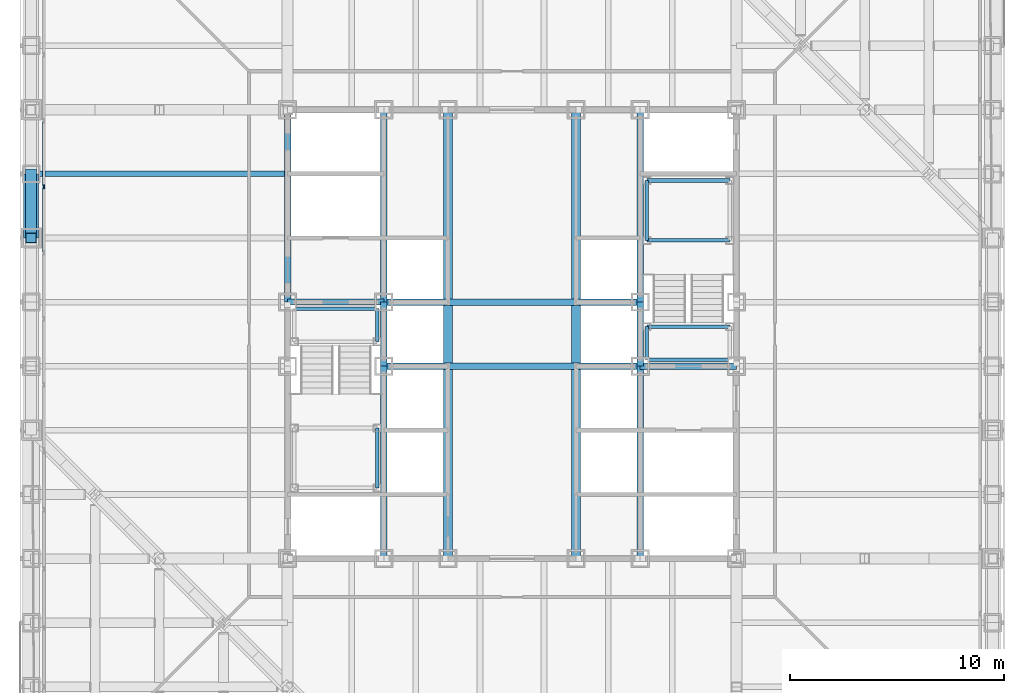
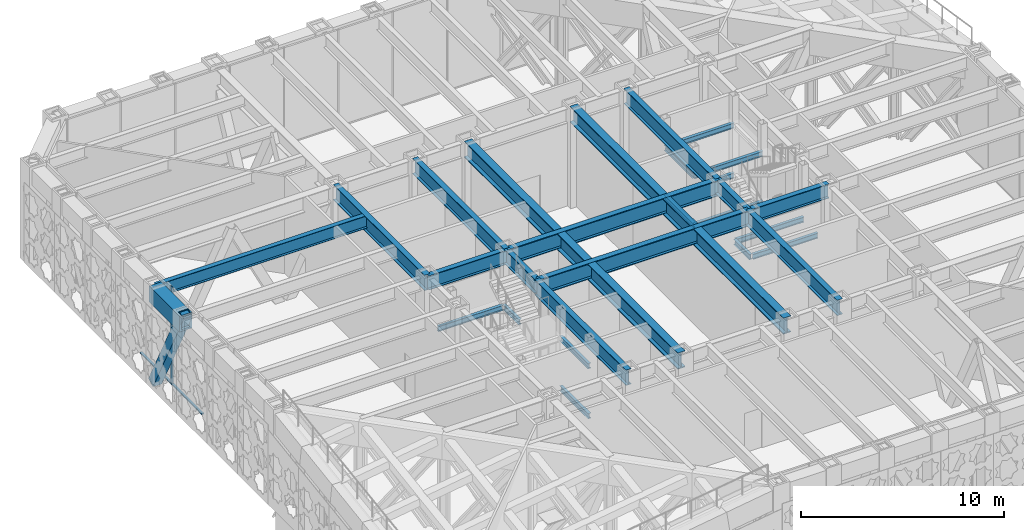
# One storey, part 6 of 31: 32 beams, 4 members, 1 element without a shape of its own.
"""IFC4 building model written with IfcOpenShell, lengths in metres."""

import ifcopenshell
import ifcopenshell.guid

model = None  # the IFC model being written
_history = None  # IfcOwnerHistory: only IFC2X3 demands one
_inside = {}  # id of a spatial element -> (the spatial element, [elements in it])
_under = {}  # id of a project, library or spatial element -> (it, [spatial elements below it])
_declared = {}  # id of a project -> (the project, [libraries it declares])
_typed = {}  # id of a type object -> (the type object, [elements of that type])
_made_of = {}  # id of a material, layer set ... -> (it, [elements and type objects made of it])


def new_model(schema):
    """Start an empty IFC model of exactly this schema.

    Asked for "IFC4X3", IfcOpenShell would pick the latest addendum, in which some entities
    have other attributes; the version numbers below select the first issue.
    IFC2X3 requires an IfcOwnerHistory on every rooted entity: one is made here for all.
    """
    global model, _history
    if schema == "IFC4X3":
        model = ifcopenshell.file(schema_version=(4, 3, 0, 0))
    else:
        model = ifcopenshell.file(schema=schema)
    _inside.clear()
    _under.clear()
    _declared.clear()
    _typed.clear()
    _made_of.clear()
    _history = None
    if model.schema == "IFC2X3":
        org = make("IfcOrganization", Name="unknown")
        user = make(
            "IfcPersonAndOrganization",
            ThePerson=make("IfcPerson", FamilyName="unknown"),
            TheOrganization=org,
        )
        app = make(
            "IfcApplication",
            ApplicationDeveloper=org,
            Version="unknown",
            ApplicationFullName="unknown",
            ApplicationIdentifier="unknown",
        )
        _history = make(
            "IfcOwnerHistory",
            OwningUser=user,
            OwningApplication=app,
            ChangeAction="ADDED",
            CreationDate=0,
        )
    return model


def make(cls, **values):
    """One entity of the class cls with the attributes given. An attribute that is None is left unset."""
    return model.create_entity(
        cls, **{name: value for name, value in values.items() if value is not None}
    )


def rooted(cls, **values):
    """An entity with a GlobalId (a new one), such as an element, a storey or a relation."""
    return make(cls, GlobalId=ifcopenshell.guid.new(), OwnerHistory=_history, **values)


def si_unit(unit_type, name, prefix=None):
    """IfcSIUnit, for example si_unit("LENGTHUNIT", "METRE", prefix="MILLI")."""
    return make("IfcSIUnit", UnitType=unit_type, Prefix=prefix, Name=name)


def assignment(units):
    """IfcUnitAssignment: the units of a project."""
    return None if units is None else make("IfcUnitAssignment", Units=units)


def point(xyz):
    """IfcCartesianPoint."""
    return None if xyz is None else make("IfcCartesianPoint", Coordinates=xyz)


def direction(xyz):
    """IfcDirection."""
    return None if xyz is None else make("IfcDirection", DirectionRatios=xyz)


def frame(location, z_axis=None, x_axis=None):
    """IfcAxis2Placement3D, a coordinate frame: its origin and axes. An axis left out is left unset."""
    return make(
        "IfcAxis2Placement3D",
        Location=point(location),
        Axis=direction(z_axis),
        RefDirection=direction(x_axis),
    )


def frame_2d(location, x_axis=None):
    """IfcAxis2Placement2D, a coordinate frame in the plane: its origin and x axis."""
    return make(
        "IfcAxis2Placement2D", Location=point(location), RefDirection=direction(x_axis)
    )


def origin():
    """The frame at (0, 0, 0) with its axes left unset."""
    return frame((0.0, 0.0, 0.0))


def origin_2d():
    """The frame at (0, 0) in the plane with its x axis left unset."""
    return frame_2d((0.0, 0.0))


def place(relative_to, where):
    """IfcLocalPlacement: puts the frame where relative to a parent placement (None: the world)."""
    return make(
        "IfcLocalPlacement", PlacementRelTo=relative_to, RelativePlacement=where
    )


def context(
    kind, dimensions, precision=None, world=None, true_north=None, identifier=None
):
    """IfcGeometricRepresentationContext, for example the 3D "Model" context."""
    return make(
        "IfcGeometricRepresentationContext",
        ContextIdentifier=identifier,
        ContextType=kind,
        CoordinateSpaceDimension=dimensions,
        Precision=precision,
        WorldCoordinateSystem=world,
        TrueNorth=true_north,
    )


def subcontext(parent, identifier, kind, view, scale=None):
    """IfcGeometricRepresentationSubContext, for example "Body" below "Model"."""
    return make(
        "IfcGeometricRepresentationSubContext",
        ContextIdentifier=identifier,
        ContextType=kind,
        ParentContext=parent,
        TargetScale=scale,
        TargetView=view,
    )


def project(units=None, contexts=None):
    """IfcProject with its units and contexts."""
    return rooted(
        "IfcProject",
        Name="project",
        RepresentationContexts=contexts,
        UnitsInContext=assignment(units),
    )


def spatial(cls, under=None, at=None, **own):
    """A site, building, storey or space (cls), placed at a placement, below another one or the project."""
    s = rooted(cls, ObjectPlacement=at, **own)
    if under is not None:
        _under.setdefault(under.id(), (under, []))[1].append(s)
    return s


def profile(cls, at=None, kind="AREA", **sizes):
    """A parametric profile (cls). Its sizes go by their IFC names, for example OverallWidth=200.0."""
    return make(cls, ProfileType=kind, Position=at, **sizes)


def rectangle(**sizes):
    """IfcRectangleProfileDef."""
    return profile("IfcRectangleProfileDef", **sizes)


def hollow_rectangle(**sizes):
    """IfcRectangleHollowProfileDef."""
    return profile("IfcRectangleHollowProfileDef", **sizes)


def i_section(**sizes):
    """IfcIShapeProfileDef."""
    return profile("IfcIShapeProfileDef", **sizes)


def extrude(swept, where, along, depth):
    """IfcExtrudedAreaSolid: the profile swept, set in the frame where, extruded along a direction by depth."""
    return make(
        "IfcExtrudedAreaSolid",
        SweptArea=swept,
        Position=where,
        ExtrudedDirection=direction(along),
        Depth=depth,
    )


def shape(context_of_items, identifier, shape_type, items):
    """IfcShapeRepresentation: the items that make up one representation, for example the "Body"."""
    return make(
        "IfcShapeRepresentation",
        ContextOfItems=context_of_items,
        RepresentationIdentifier=identifier,
        RepresentationType=shape_type,
        Items=items,
    )


def material(Name=None, Category=None):
    """IfcMaterial."""
    return make("IfcMaterial", Name=Name, Category=Category)


def layer(
    of_material, thickness, ventilated=None, Name=None, Category=None, Priority=None
):
    """IfcMaterialLayer: one layer of a wall or slab, of a material (None: an air gap)."""
    return make(
        "IfcMaterialLayer",
        Material=of_material,
        LayerThickness=thickness,
        IsVentilated=ventilated,
        Name=Name,
        Category=Category,
        Priority=Priority,
    )


def layer_set(layers, Name=None):
    """IfcMaterialLayerSet."""
    return make("IfcMaterialLayerSet", MaterialLayers=layers, LayerSetName=Name)


def material_profile(
    of_material, cross_section, Name=None, Category=None, Priority=None
):
    """IfcMaterialProfile: a cross section and its material."""
    return make(
        "IfcMaterialProfile",
        Name=Name,
        Material=of_material,
        Profile=cross_section,
        Priority=Priority,
        Category=Category,
    )


def profile_set(profiles, Name=None, composite=None):
    """IfcMaterialProfileSet."""
    return make(
        "IfcMaterialProfileSet",
        Name=Name,
        MaterialProfiles=profiles,
        CompositeProfile=composite,
    )


def made_of(thing, what):
    """Note that an element or type object is made of a material, layer set ...; save() writes the relation."""
    if what is not None:
        _made_of.setdefault(what.id(), (what, []))[1].append(thing)
    return thing


def type_object(cls, material=None, **own):
    """A type object (cls), such as IfcWallType, which elements share."""
    return made_of(rooted(cls, **own), material)


def element(
    cls,
    number,
    at=None,
    inside=None,
    cuts=None,
    type_object=None,
    material=None,
    context=None,
    identifier="Body",
    shape_type=None,
    held_by="IfcProductDefinitionShape",
    body=None,
    shapes=None,
    **own,
):
    """One element of the class cls, such as IfcWall. Its Tag is "e" and its number.

    at: its placement. inside: the storey or other place that contains it. cuts: it is an
    opening in that element (IfcRelVoidsElement). A single representation is given by context,
    identifier, shape_type and body (its items); several are given by shapes. held_by: the class
    of the entity that holds the representations. save() writes the other relations.
    """
    e = rooted(cls, Tag="e%d" % number, ObjectPlacement=at, **own)
    if body is not None:
        shapes = [shape(context, identifier, shape_type, body)]
    if shapes is not None:
        e.Representation = make(held_by, Representations=shapes)
    if inside is not None:
        _inside.setdefault(inside.id(), (inside, []))[1].append(e)
    if cuts is not None:
        rooted(
            "IfcRelVoidsElement", RelatingBuildingElement=cuts, RelatedOpeningElement=e
        )
    if type_object is not None:
        _typed.setdefault(type_object.id(), (type_object, []))[1].append(e)
    return made_of(e, material)


def aggregate(whole, parts):
    """IfcRelAggregates: a whole, such as a stair, and the parts it consists of."""
    return rooted("IfcRelAggregates", RelatingObject=whole, RelatedObjects=parts)


def save(model, path):
    """Write the relations noted so far, then the file.

    IfcRelAggregates (storeys below a building ...), IfcRelContainedInSpatialStructure (elements
    in a storey), IfcRelDefinesByType, IfcRelAssociatesMaterial and IfcRelDeclares: one each for
    every whole, place, type object, material and project.
    """
    for whole, parts in _under.values():
        aggregate(whole, parts)
    for where, things in _inside.values():
        rooted(
            "IfcRelContainedInSpatialStructure",
            RelatedElements=things,
            RelatingStructure=where,
        )
    for kind, things in _typed.values():
        rooted("IfcRelDefinesByType", RelatedObjects=things, RelatingType=kind)
    for what, things in _made_of.values():
        rooted("IfcRelAssociatesMaterial", RelatedObjects=things, RelatingMaterial=what)
    for by, libraries in _declared.values():
        rooted("IfcRelDeclares", RelatingContext=by, RelatedDefinitions=libraries)
    model.write(path)


model = new_model("IFC4")

# Units and contexts
model_context = context("Model", 3, precision=1e-05, world=origin(), true_north=direction((0.0, 1.0)))
body_context = subcontext(model_context, "Body", "Model", "MODEL_VIEW")
ifc_project = project(units=[si_unit("LENGTHUNIT", "METRE"), si_unit("AREAUNIT", "SQUARE_METRE"), si_unit("VOLUMEUNIT", "CUBIC_METRE"), si_unit("PLANEANGLEUNIT", "RADIAN"), si_unit("MASSUNIT", "GRAM", prefix="KILO")], contexts=[model_context])

# Site, building, storey
site_placement = place(None, origin())
site = spatial("IfcSite", under=ifc_project, at=site_placement, CompositionType="ELEMENT")
building_placement = place(site_placement, origin())
building = spatial("IfcBuilding", under=site, at=building_placement, Name="Chuquiago Exchange Tower", CompositionType="ELEMENT")
storey_placement = place(building_placement, frame((0.0, 0.0, 96.300048828125)))
storey = spatial("IfcBuildingStorey", under=building, at=storey_placement, Name="L20", CompositionType="ELEMENT", Elevation=96.300048828125)

# Beams
ifc_material_1 = material(Name="Steel ASTM A992", Category="steel")
ifc_material_profile_1 = material_profile(ifc_material_1, i_section(OverallWidth=0.307373046875, OverallDepth=0.927001953125, WebThickness=0.01953125, FlangeThickness=0.031982421875, at=origin_2d()), Name="W36X194")
ifc_profile_set_1 = profile_set([ifc_material_profile_1], Name="Steel ASTM A992")
beam_type_1 = type_object("IfcBeamType", Name="B10 W36X194", PredefinedType="BEAM", material=ifc_profile_set_1)
for number, where, z_axis, x_axis, name in (
    (1, (12.0, 24.0, 5.37646484375), (0.0, 1.0, 0.0), (-1.0, 0.0, 0.0), "CB-L21-12_24-12_33"),
    (2, (16.5, 12.0, 5.37646484375), (0.0, 1.0, 0.0), (-1.0, 0.0, 0.0), "CB-L21-16.5_12-16.5_21"),
    (3, (16.5, 24.0, 5.37646484375), (0.0, 1.0, 0.0), (-1.0, 0.0, 0.0), "CB-L21-16.5_24-16.5_33"),
    (4, (28.5, 12.0, 5.37646484375), (0.0, 1.0, 0.0), (-1.0, 0.0, 0.0), "CB-L21-28.5_12-28.5_21"),
    (5, (28.5, 24.0, 5.37646484375), (0.0, 1.0, 0.0), (-1.0, 0.0, 0.0), "CB-L21-28.5_24-28.5_33"),
):
    element("IfcBeam", number, at=place(storey_placement, frame(where, z_axis=z_axis, x_axis=x_axis)), inside=storey, type_object=beam_type_1, Name=name, PredefinedType="BEAM", context=body_context, shape_type="SweptSolid", body=[
        extrude(i_section(OverallWidth=0.307373046875, OverallDepth=0.927001953125, WebThickness=0.01953125, FlangeThickness=0.031982421875, at=origin_2d()), origin(), (0.0, 0.0, 1.0), 9.0),
    ])
ifc_material_2 = material(Name="Steel ASTM A992", Category="steel")
ifc_material_profile_2 = material_profile(ifc_material_2, i_section(OverallWidth=0.309814453125, OverallDepth=0.949951171875, WebThickness=0.0244140625, FlangeThickness=0.0439453125, at=origin_2d()), Name="W36X256")
ifc_profile_set_2 = profile_set([ifc_material_profile_2], Name="Steel ASTM A992")
beam_type_2 = type_object("IfcBeamType", Name="B11 W36X256", PredefinedType="BEAM", material=ifc_profile_set_2)
for number, where, z_axis, x_axis, name in (
    (6, (16.5, 21.0, 5.364990234375), (1.0, 0.0, 0.0), (0.0, 1.0, 0.0), "CB-L21-16.5_21-28.5_21"),
    (7, (16.5, 24.0, 5.364990234375), (1.0, 0.0, 0.0), (0.0, 1.0, 0.0), "CB-L21-16.5_24-28.5_24"),
):
    element("IfcBeam", number, at=place(storey_placement, frame(where, z_axis=z_axis, x_axis=x_axis)), inside=storey, type_object=beam_type_2, Name=name, PredefinedType="BEAM", context=body_context, shape_type="SweptSolid", body=[
        extrude(i_section(OverallWidth=0.309814453125, OverallDepth=0.949951171875, WebThickness=0.0244140625, FlangeThickness=0.0439453125, at=origin_2d()), origin(), (0.0, 0.0, 1.0), 12.0),
    ])
ifc_material_3 = material(Name="Steel ASTM A992", Category="steel")
ifc_material_profile_3 = material_profile(ifc_material_3, i_section(OverallWidth=0.4267578125, OverallDepth=0.975341796875, WebThickness=0.031005859375, FlangeThickness=0.055908203125, at=origin_2d()), Name="W36X395")
ifc_profile_set_3 = profile_set([ifc_material_profile_3], Name="Steel ASTM A992")
beam_type_3 = type_object("IfcBeamType", Name="B12 W36X395", PredefinedType="BEAM", material=ifc_profile_set_3)
beam_1_placement = place(storey_placement, frame((19.5, 12.0, 5.352294921875), z_axis=(0.0, 1.0, 0.0), x_axis=(-1.0, 0.0, 0.0)))
element("IfcBeam", 8, at=beam_1_placement, inside=storey, type_object=beam_type_3, Name="CB-L21-19.5_12-19.5_20.8451", PredefinedType="BEAM", context=body_context, shape_type="SweptSolid", body=[
    extrude(i_section(OverallWidth=0.4267578125, OverallDepth=0.975341796875, WebThickness=0.031005859375, FlangeThickness=0.055908203125, at=origin_2d()), origin(), (0.0, 0.0, 1.0), 8.84521484375),
])
beam_2_placement = place(storey_placement, frame((19.5, 21.15478515625, 5.352294921875), z_axis=(0.0, 1.0, 0.0), x_axis=(-1.0, 0.0, 0.0)))
element("IfcBeam", 9, at=beam_2_placement, inside=storey, type_object=beam_type_3, Name="CB-L21-19.5_21.1549-19.5_23.8451", PredefinedType="BEAM", context=body_context, shape_type="SweptSolid", body=[
    extrude(i_section(OverallWidth=0.4267578125, OverallDepth=0.975341796875, WebThickness=0.031005859375, FlangeThickness=0.055908203125, at=origin_2d()), origin(), (0.0, 0.0, 1.0), 2.6904296875),
])
for number, where, z_axis, x_axis, name in (
    (10, (19.5, 24.15478515625, 5.352294921875), (0.0, 1.0, 0.0), (-1.0, 0.0, 0.0), "CB-L21-19.5_24.1549-19.5_33"),
    (11, (25.5, 12.0, 5.352294921875), (0.0, 1.0, 0.0), (-1.0, 0.0, 0.0), "CB-L21-25.5_12-25.5_20.8451"),
):
    element("IfcBeam", number, at=place(storey_placement, frame(where, z_axis=z_axis, x_axis=x_axis)), inside=storey, type_object=beam_type_3, Name=name, PredefinedType="BEAM", context=body_context, shape_type="SweptSolid", body=[
        extrude(i_section(OverallWidth=0.4267578125, OverallDepth=0.975341796875, WebThickness=0.031005859375, FlangeThickness=0.055908203125, at=origin_2d()), origin(), (0.0, 0.0, 1.0), 8.84521484375),
    ])
beam_3_placement = place(storey_placement, frame((25.5, 21.15478515625, 5.352294921875), z_axis=(0.0, 1.0, 0.0), x_axis=(-1.0, 0.0, 0.0)))
element("IfcBeam", 12, at=beam_3_placement, inside=storey, type_object=beam_type_3, Name="CB-L21-25.5_21.1549-25.5_23.8451", PredefinedType="BEAM", context=body_context, shape_type="SweptSolid", body=[
    extrude(i_section(OverallWidth=0.4267578125, OverallDepth=0.975341796875, WebThickness=0.031005859375, FlangeThickness=0.055908203125, at=origin_2d()), origin(), (0.0, 0.0, 1.0), 2.6904296875),
])
beam_4_placement = place(storey_placement, frame((25.5, 24.15478515625, 5.352294921875), z_axis=(0.0, 1.0, 0.0), x_axis=(-1.0, 0.0, 0.0)))
element("IfcBeam", 13, at=beam_4_placement, inside=storey, type_object=beam_type_3, Name="CB-L21-25.5_24.1549-25.5_33", PredefinedType="BEAM", context=body_context, shape_type="SweptSolid", body=[
    extrude(i_section(OverallWidth=0.4267578125, OverallDepth=0.975341796875, WebThickness=0.031005859375, FlangeThickness=0.055908203125, at=origin_2d()), origin(), (0.0, 0.0, 1.0), 8.84521484375),
])
ifc_material_4 = material(Name="Steel ASTM A992", Category="steel")
ifc_material_profile_4 = material_profile(ifc_material_4, i_section(OverallWidth=0.2919921875, OverallDepth=0.8583984375, WebThickness=0.01708984375, FlangeThickness=0.031005859375, at=origin_2d()), Name="W33X169")
ifc_profile_set_4 = profile_set([ifc_material_profile_4], Name="Steel ASTM A992")
beam_type_4 = type_object("IfcBeamType", Name="B3 W33X169", PredefinedType="BEAM", material=ifc_profile_set_4)
for number, where, z_axis, x_axis, name in (
    (14, (16.5, 21.0, 5.41064453125), (0.0, 1.0, 0.0), (-1.0, 0.0, 0.0), "CB-L21-16.5_21-16.5_24"),
    (15, (28.5, 21.0, 5.41064453125), (0.0, 1.0, 0.0), (-1.0, 0.0, 0.0), "CB-L21-28.5_21-28.5_24"),
):
    element("IfcBeam", number, at=place(storey_placement, frame(where, z_axis=z_axis, x_axis=x_axis)), inside=storey, type_object=beam_type_4, Name=name, PredefinedType="BEAM", context=body_context, shape_type="SweptSolid", body=[
        extrude(i_section(OverallWidth=0.2919921875, OverallDepth=0.8583984375, WebThickness=0.01708984375, FlangeThickness=0.031005859375, at=origin_2d()), origin(), (0.0, 0.0, 1.0), 3.0),
    ])
for number, where, z_axis, x_axis, name in (
    (16, (28.5, 21.0, 5.41064453125), (1.0, 0.0, 0.0), (0.0, 1.0, 0.0), "CB-L21-28.5_21-33_21"),
    (17, (12.0, 24.0, 5.41064453125), (1.0, 0.0, 0.0), (0.0, 1.0, 0.0), "CB-L21-12_24-16.5_24"),
):
    element("IfcBeam", number, at=place(storey_placement, frame(where, z_axis=z_axis, x_axis=x_axis)), inside=storey, type_object=beam_type_4, Name=name, PredefinedType="BEAM", context=body_context, shape_type="SweptSolid", body=[
        extrude(i_section(OverallWidth=0.2919921875, OverallDepth=0.8583984375, WebThickness=0.01708984375, FlangeThickness=0.031005859375, at=origin_2d()), origin(), (0.0, 0.0, 1.0), 4.5),
    ])
ifc_material_5 = material(Name="Steel ASTM A992", Category="steel")
ifc_material_profile_5 = material_profile(ifc_material_5, i_section(OverallWidth=0.2666015625, OverallDepth=0.761962890625, WebThickness=0.014404296875, FlangeThickness=0.021484375, at=origin_2d()), Name="W30X116")
ifc_profile_set_5 = profile_set([ifc_material_profile_5], Name="Steel ASTM A992")
beam_type_5 = type_object("IfcBeamType", Name="B8 W30X116", PredefinedType="BEAM", material=ifc_profile_set_5)
beam_5_placement = place(storey_placement, frame((12.0, 30.0, 5.458984375), z_axis=(-1.0, 0.0, 0.0), x_axis=(0.0, -1.0, 0.0)))
element("IfcBeam", 18, at=beam_5_placement, inside=storey, type_object=beam_type_5, Name="FB-L21-infill-12_30--0_30-0", PredefinedType="BEAM", context=body_context, shape_type="SweptSolid", body=[
    extrude(i_section(OverallWidth=0.2666015625, OverallDepth=0.761962890625, WebThickness=0.014404296875, FlangeThickness=0.021484375, at=origin_2d()), origin(), (0.0, 0.0, 1.0), 12.0),
])

# Member
ifc_material_6 = material(Name="Steel ASTM A500 Grade C", Category="steel")
ifc_material_profile_6 = material_profile(ifc_material_6, hollow_rectangle(XDim=0.508056640625, YDim=0.508056640625, WallThickness=0.017822265625, at=origin_2d()), Name="HSS20X20X3/4")
ifc_profile_set_6 = profile_set([ifc_material_profile_6], Name="Steel ASTM A500 Grade C")
member_type_1 = type_object("IfcMemberType", Name="BT2 HSS20X20X3/4", PredefinedType="BRACE", material=ifc_profile_set_6)
member_1_placement = place(storey_placement, frame((0.0, 30.0, 0.0), z_axis=(0.0, -0.456944654405, 0.889495128042), x_axis=(1.0, 0.0, 0.0)))
element("IfcMember", 19, at=member_1_placement, inside=storey, type_object=member_type_1, Name="Belt truss L20 diagonal", PredefinedType="BRACE", context=body_context, shape_type="SweptSolid", body=[
    extrude(hollow_rectangle(XDim=0.508056640625, YDim=0.508056640625, WallThickness=0.017822265625, at=origin_2d()), origin(), (0.0, 0.0, 1.0), 6.5654296875),
])

# Curtain wall, members
ifc_material_7 = material(Name="Aluminium curtain wall system", Category="aluminium")
ifc_layer = layer(ifc_material_7, 0.199951171875)
ifc_layer_set = layer_set([ifc_layer], Name="CW6 plant floor louvre wall")
curtain_wall_type = type_object("IfcCurtainWallType", Name="CW6 plant floor louvre wall", PredefinedType="NOTDEFINED", material=ifc_layer_set)
curtain_wall_placement = place(storey_placement, origin())
curtain_wall = element("IfcCurtainWall", 20, at=curtain_wall_placement, inside=storey, type_object=curtain_wall_type, Name="CW6 curtain wall L20", PredefinedType="NOTDEFINED")
ifc_material_8 = material(Name="Aluminium mullion, pale anodised", Category="aluminium")
ifc_material_profile_7 = material_profile(ifc_material_8, rectangle(XDim=0.074951171875, YDim=0.199951171875, at=origin_2d()), Name="AL 75x200")
ifc_profile_set_7 = profile_set([ifc_material_profile_7], Name="Aluminium mullion, pale anodised")
member_type_2 = type_object("IfcMemberType", Name="CW6-M mullion 75x200", PredefinedType="MULLION", material=ifc_profile_set_7)
member_2_placement = place(storey_placement, frame((0.60009765625, 29.39892578125, 0.0), z_axis=(0.0, 0.0, 1.0), x_axis=(1.0, 0.0, 0.0)))
member_2 = element("IfcMember", 21, at=member_2_placement, type_object=member_type_2, Name="CW6 mullion 5", PredefinedType="MULLION", context=body_context, shape_type="SweptSolid", body=[
    extrude(rectangle(XDim=0.074951171875, YDim=0.199951171875, at=origin_2d()), origin(), (0.0, 0.0, 1.0), 5.83984375),
])
ifc_material_9 = material(Name="Aluminium transom, pale anodised", Category="aluminium")
ifc_material_profile_8 = material_profile(ifc_material_9, rectangle(XDim=0.1201171875, YDim=0.074951171875, at=origin_2d()), Name="AL 120x75")
ifc_profile_set_8 = profile_set([ifc_material_profile_8], Name="Aluminium transom, pale anodised")
member_type_3 = type_object("IfcMemberType", Name="CW6-T transom 75x120", PredefinedType="MULLION", material=ifc_profile_set_8)
member_3_placement = place(storey_placement, frame((0.60009765625, 32.44970703125, 0.037353515625), z_axis=(0.0, -1.0, 0.0), x_axis=(1.0, 0.0, 0.0)))
member_3 = element("IfcMember", 22, at=member_3_placement, type_object=member_type_3, Name="CW6 transom 4.1", PredefinedType="MULLION", context=body_context, shape_type="SweptSolid", body=[
    extrude(rectangle(XDim=0.1201171875, YDim=0.074951171875, at=origin_2d()), origin(), (0.0, 0.0, 1.0), 3.01318359375),
])
member_4_placement = place(storey_placement, frame((0.60009765625, 29.361572265625, 0.037353515625), z_axis=(0.0, -1.0, 0.0), x_axis=(1.0, 0.0, 0.0)))
member_4 = element("IfcMember", 23, at=member_4_placement, type_object=member_type_3, Name="CW6 transom 5.1", PredefinedType="MULLION", context=body_context, shape_type="SweptSolid", body=[
    extrude(rectangle(XDim=0.1201171875, YDim=0.074951171875, at=origin_2d()), origin(), (0.0, 0.0, 1.0), 3.01318359375),
])
aggregate(curtain_wall, [member_2, member_3, member_4])

# Beams
ifc_material_10 = material(Name="Steel ASTM A992", Category="steel")
ifc_material_profile_9 = material_profile(ifc_material_10, i_section(OverallWidth=0.164794921875, OverallDepth=0.309814453125, WebThickness=0.005859375, FlangeThickness=0.009765625, at=origin_2d()), Name="W12X26")
ifc_profile_set_9 = profile_set([ifc_material_profile_9], Name="Steel ASTM A992")
beam_type_6 = type_object("IfcBeamType", Name="LS1 W12X26", PredefinedType="BEAM", material=ifc_profile_set_9)
beam_6_placement = place(storey_placement, frame((16.18994140625, 15.31005859375, 1.14501953125), z_axis=(0.0, 1.0, 0.0), x_axis=(-1.0, 0.0, 0.0)))
element("IfcBeam", 24, at=beam_6_placement, inside=storey, type_object=beam_type_6, Name="Stair ST1 L20 landing 1 stringer", PredefinedType="BEAM", context=body_context, shape_type="SweptSolid", body=[
    extrude(i_section(OverallWidth=0.164794921875, OverallDepth=0.309814453125, WebThickness=0.005859375, FlangeThickness=0.009765625, at=origin_2d()), origin(), (0.0, 0.0, 1.0), 2.800048828125),
])
beam_7_placement = place(storey_placement, frame((16.18994140625, 22.14990234375, 2.64501953125), z_axis=(0.0, 1.0, 0.0), x_axis=(-1.0, 0.0, 0.0)))
element("IfcBeam", 25, at=beam_7_placement, inside=storey, type_object=beam_type_6, Name="Stair ST1 L20 landing 2 stringer", PredefinedType="BEAM", context=body_context, shape_type="SweptSolid", body=[
    extrude(i_section(OverallWidth=0.164794921875, OverallDepth=0.309814453125, WebThickness=0.005859375, FlangeThickness=0.009765625, at=origin_2d()), origin(), (0.0, 0.0, 1.0), 1.5400390625),
])
for number, where, z_axis, x_axis, name in (
    (26, (16.18994140625, 15.31005859375, 4.14501953125), (0.0, 1.0, 0.0), (-1.0, 0.0, 0.0), "Stair ST1 L20 landing 3 stringer"),
    (27, (28.81005859375, 26.889892578125, 1.14501953125), (0.0, 1.0, 0.0), (-1.0, 0.0, 0.0), "Stair ST2 L20 landing 1 stringer"),
):
    element("IfcBeam", number, at=place(storey_placement, frame(where, z_axis=z_axis, x_axis=x_axis)), inside=storey, type_object=beam_type_6, Name=name, PredefinedType="BEAM", context=body_context, shape_type="SweptSolid", body=[
        extrude(i_section(OverallWidth=0.164794921875, OverallDepth=0.309814453125, WebThickness=0.005859375, FlangeThickness=0.009765625, at=origin_2d()), origin(), (0.0, 0.0, 1.0), 2.800048828125),
    ])
beam_8_placement = place(storey_placement, frame((28.81005859375, 21.31005859375, 2.64501953125), z_axis=(0.0, 1.0, 0.0), x_axis=(-1.0, 0.0, 0.0)))
element("IfcBeam", 28, at=beam_8_placement, inside=storey, type_object=beam_type_6, Name="Stair ST2 L20 landing 2 stringer", PredefinedType="BEAM", context=body_context, shape_type="SweptSolid", body=[
    extrude(i_section(OverallWidth=0.164794921875, OverallDepth=0.309814453125, WebThickness=0.005859375, FlangeThickness=0.009765625, at=origin_2d()), origin(), (0.0, 0.0, 1.0), 1.5400390625),
])
beam_9_placement = place(storey_placement, frame((28.81005859375, 26.889892578125, 4.14501953125), z_axis=(0.0, 1.0, 0.0), x_axis=(-1.0, 0.0, 0.0)))
element("IfcBeam", 29, at=beam_9_placement, inside=storey, type_object=beam_type_6, Name="Stair ST2 L20 landing 3 stringer", PredefinedType="BEAM", context=body_context, shape_type="SweptSolid", body=[
    extrude(i_section(OverallWidth=0.164794921875, OverallDepth=0.309814453125, WebThickness=0.005859375, FlangeThickness=0.009765625, at=origin_2d()), origin(), (0.0, 0.0, 1.0), 2.800048828125),
])
ifc_material_11 = material(Name="Steel ASTM A992", Category="steel")
ifc_material_profile_10 = material_profile(ifc_material_11, i_section(OverallWidth=0.164794921875, OverallDepth=0.309814453125, WebThickness=0.005859375, FlangeThickness=0.009765625, at=origin_2d()), Name="W12X26")
ifc_profile_set_10 = profile_set([ifc_material_profile_10], Name="Steel ASTM A992")
beam_type_7 = type_object("IfcBeamType", Name="LT1 W12X26", PredefinedType="BEAM", material=ifc_profile_set_10)
beam_10_placement = place(storey_placement, frame((12.405029296875, 23.68994140625, 2.64501953125), z_axis=(1.0, 0.0, 0.0), x_axis=(0.0, 1.0, 0.0)))
element("IfcBeam", 30, at=beam_10_placement, inside=storey, type_object=beam_type_7, Name="Stair ST1 L20 landing 2 trimmer", PredefinedType="BEAM", context=body_context, shape_type="SweptSolid", body=[
    extrude(i_section(OverallWidth=0.164794921875, OverallDepth=0.309814453125, WebThickness=0.005859375, FlangeThickness=0.009765625, at=origin_2d()), origin(), (0.0, 0.0, 1.0), 3.68994140625),
])
for number, where, z_axis, x_axis, name in (
    (31, (28.81005859375, 29.68994140625, 1.14501953125), (1.0, 0.0, 0.0), (0.0, 1.0, 0.0), "Stair ST2 L20 landing 1 trimmer"),
    (32, (28.81005859375, 26.889892578125, 1.14501953125), (1.0, 0.0, 0.0), (0.0, 1.0, 0.0), "Stair ST2 L20 landing 1 trimmer"),
    (33, (28.81005859375, 22.85009765625, 2.64501953125), (1.0, 0.0, 0.0), (0.0, 1.0, 0.0), "Stair ST2 L20 landing 2 trimmer"),
):
    element("IfcBeam", number, at=place(storey_placement, frame(where, z_axis=z_axis, x_axis=x_axis)), inside=storey, type_object=beam_type_7, Name=name, PredefinedType="BEAM", context=body_context, shape_type="SweptSolid", body=[
        extrude(i_section(OverallWidth=0.164794921875, OverallDepth=0.309814453125, WebThickness=0.005859375, FlangeThickness=0.009765625, at=origin_2d()), origin(), (0.0, 0.0, 1.0), 3.8798828125),
    ])
beam_11_placement = place(storey_placement, frame((28.905029296875, 21.31005859375, 2.64501953125), z_axis=(1.0, 0.0, 0.0), x_axis=(0.0, 1.0, 0.0)))
element("IfcBeam", 34, at=beam_11_placement, inside=storey, type_object=beam_type_7, Name="Stair ST2 L20 landing 2 trimmer", PredefinedType="BEAM", context=body_context, shape_type="SweptSolid", body=[
    extrude(i_section(OverallWidth=0.164794921875, OverallDepth=0.309814453125, WebThickness=0.005859375, FlangeThickness=0.009765625, at=origin_2d()), origin(), (0.0, 0.0, 1.0), 3.68994140625),
])
for number, where, z_axis, x_axis, name in (
    (35, (28.81005859375, 29.68994140625, 4.14501953125), (1.0, 0.0, 0.0), (0.0, 1.0, 0.0), "Stair ST2 L20 landing 3 trimmer"),
    (36, (28.81005859375, 26.889892578125, 4.14501953125), (1.0, 0.0, 0.0), (0.0, 1.0, 0.0), "Stair ST2 L20 landing 3 trimmer"),
):
    element("IfcBeam", number, at=place(storey_placement, frame(where, z_axis=z_axis, x_axis=x_axis)), inside=storey, type_object=beam_type_7, Name=name, PredefinedType="BEAM", context=body_context, shape_type="SweptSolid", body=[
        extrude(i_section(OverallWidth=0.164794921875, OverallDepth=0.309814453125, WebThickness=0.005859375, FlangeThickness=0.009765625, at=origin_2d()), origin(), (0.0, 0.0, 1.0), 3.8798828125),
    ])
ifc_material_12 = material(Name="Steel ASTM A572 Grade 50", Category="steel")
ifc_material_profile_11 = material_profile(ifc_material_12, hollow_rectangle(XDim=0.699951171875, YDim=0.949951171875, WallThickness=0.10009765625, at=origin_2d()), Name="BOX950X700X100")
ifc_profile_set_11 = profile_set([ifc_material_profile_11], Name="Steel ASTM A572 Grade 50")
beam_type_8 = type_object("IfcBeamType", Name="SP5 BOX950X700X100", PredefinedType="SPANDREL", material=ifc_profile_set_11)
beam_12_placement = place(storey_placement, frame((0.0, 30.0, 5.364990234375), z_axis=(0.0, -1.0, 0.0), x_axis=(1.0, 0.0, 0.0)))
element("IfcBeam", 37, at=beam_12_placement, inside=storey, type_object=beam_type_8, Name="SPB-L21-0_30-0_27", PredefinedType="SPANDREL", context=body_context, shape_type="SweptSolid", body=[
    extrude(hollow_rectangle(XDim=0.699951171875, YDim=0.949951171875, WallThickness=0.10009765625, at=origin_2d()), origin(), (0.0, 0.0, 1.0), 3.0),
])

save(model, "model.ifc")
